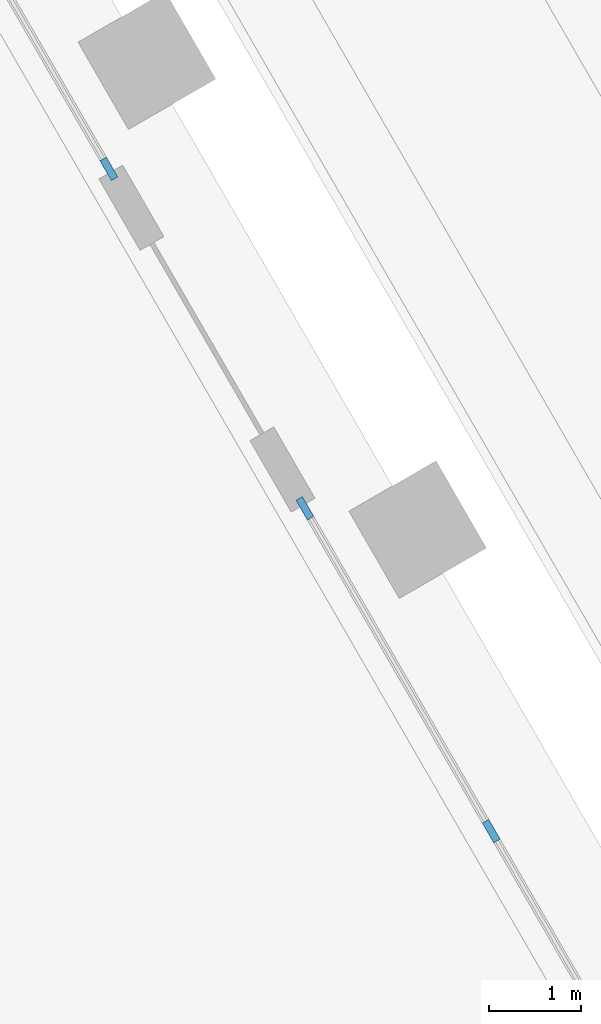
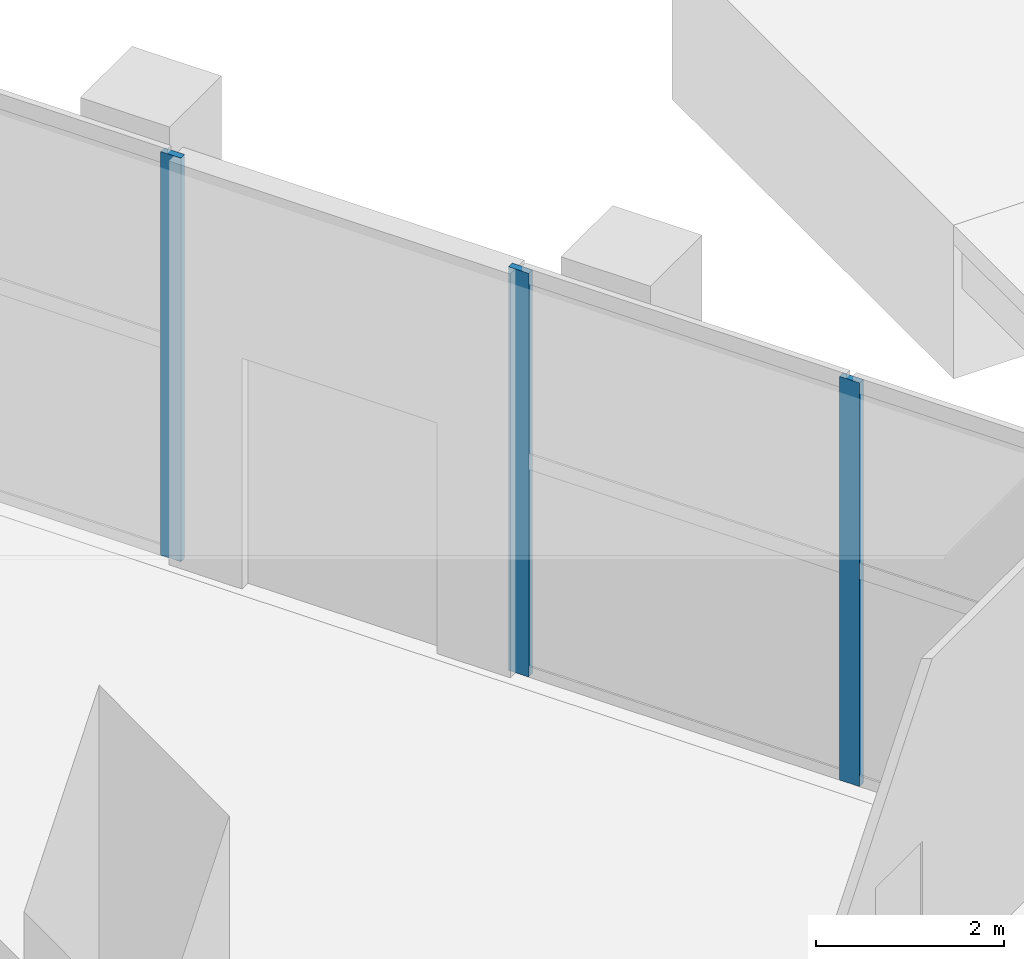
# One storey, part 10 of 44: 3 members, 2 elements without a shape of their own.
"""IFC4 building model written with IfcOpenShell, lengths in metres."""

from ifc_helpers import new_model, si_unit, direction, frame, origin, origin_2d, place, context, subcontext, project, spatial, rectangle, extrude, material, material_profile, profile_set, type_object, element, aggregate, save


model = new_model("IFC4")

# Units and contexts
model_context = context("Model", 3, precision=1e-05, world=origin(), true_north=direction((0.0, 1.0)))
body_context = subcontext(model_context, "Body", "Model", "MODEL_VIEW")
ifc_project = project(units=[si_unit("LENGTHUNIT", "METRE"), si_unit("AREAUNIT", "SQUARE_METRE"), si_unit("VOLUMEUNIT", "CUBIC_METRE"), si_unit("PLANEANGLEUNIT", "RADIAN"), si_unit("MASSUNIT", "GRAM", prefix="KILO")], contexts=[model_context])

# Site, building, storey
site_placement = place(None, origin())
site = spatial("IfcSite", under=ifc_project, at=site_placement, CompositionType="ELEMENT")
building_placement = place(site_placement, origin())
building = spatial("IfcBuilding", under=site, at=building_placement, Name="Frailejon Research Tower", CompositionType="ELEMENT")
storey_placement = place(building_placement, origin())
storey = spatial("IfcBuildingStorey", under=building, at=storey_placement, Name="L00", CompositionType="ELEMENT", Elevation=0.0)

# Curtain wall, members
ifc_material_1 = material(Name="Aluminium curtain wall", Category="aluminium")
curtain_wall_type = type_object("IfcCurtainWallType", Name="Lobby atrium curtain wall system", PredefinedType="NOTDEFINED", material=ifc_material_1)
curtain_wall_1_placement = place(storey_placement, origin())
curtain_wall_1 = element("IfcCurtainWall", 1, at=curtain_wall_1_placement, inside=storey, type_object=curtain_wall_type, Name="Curtain wall L00", PredefinedType="NOTDEFINED")
ifc_material_2 = material(Name="Aluminium extrusion", Category="aluminium")
ifc_material_profile = material_profile(ifc_material_2, rectangle(XDim=0.080078125, YDim=0.25, at=origin_2d()), Name="Lobby atrium curtain wall mullion 80x250")
ifc_profile_set = profile_set([ifc_material_profile], Name="Aluminium extrusion")
member_type = type_object("IfcMemberType", Name="Lobby atrium curtain wall mullion 80x250", PredefinedType="MULLION", material=ifc_profile_set)
member_1_placement = place(storey_placement, frame((33.459228515625, 12.14697265625, 0.0), z_axis=(0.0, 0.0, 1.0), x_axis=(-0.866025541081, -0.499999762196, 0.0)))
member_1 = element("IfcMember", 2, at=member_1_placement, type_object=member_type, Name="CW1-003 mullion 3", PredefinedType="MULLION", context=body_context, shape_type="SweptSolid", body=[
    extrude(rectangle(XDim=0.080078125, YDim=0.25, at=origin_2d()), origin(), (0.0, 0.0, 1.0), 5.25),
])
member_2_placement = place(storey_placement, frame((31.42431640625, 15.671630859375, 0.0), z_axis=(0.0, 0.0, 1.0), x_axis=(-0.866025541081, -0.499999762196, 0.0)))
member_2 = element("IfcMember", 3, at=member_2_placement, type_object=member_type, Name="CW1-003 mullion 4", PredefinedType="MULLION", context=body_context, shape_type="SweptSolid", body=[
    extrude(rectangle(XDim=0.080078125, YDim=0.25, at=origin_2d()), origin(), (0.0, 0.0, 1.0), 5.25),
])
aggregate(curtain_wall_1, [member_1, member_2])

# Curtain wall, member
curtain_wall_2_placement = place(storey_placement, origin())
curtain_wall_2 = element("IfcCurtainWall", 4, at=curtain_wall_2_placement, inside=storey, type_object=curtain_wall_type, Name="Curtain wall L00", PredefinedType="NOTDEFINED")
member_3_placement = place(storey_placement, frame((29.2841796875, 19.37841796875, 0.0), z_axis=(0.0, 0.0, 1.0), x_axis=(-0.866025541081, -0.499999762196, 0.0)))
member_3 = element("IfcMember", 5, at=member_3_placement, type_object=member_type, Name="CW1-004 mullion 1", PredefinedType="MULLION", context=body_context, shape_type="SweptSolid", body=[
    extrude(rectangle(XDim=0.080078125, YDim=0.25, at=origin_2d()), origin(), (0.0, 0.0, 1.0), 5.25),
])
aggregate(curtain_wall_2, [member_3])

save(model, "model.ifc")
